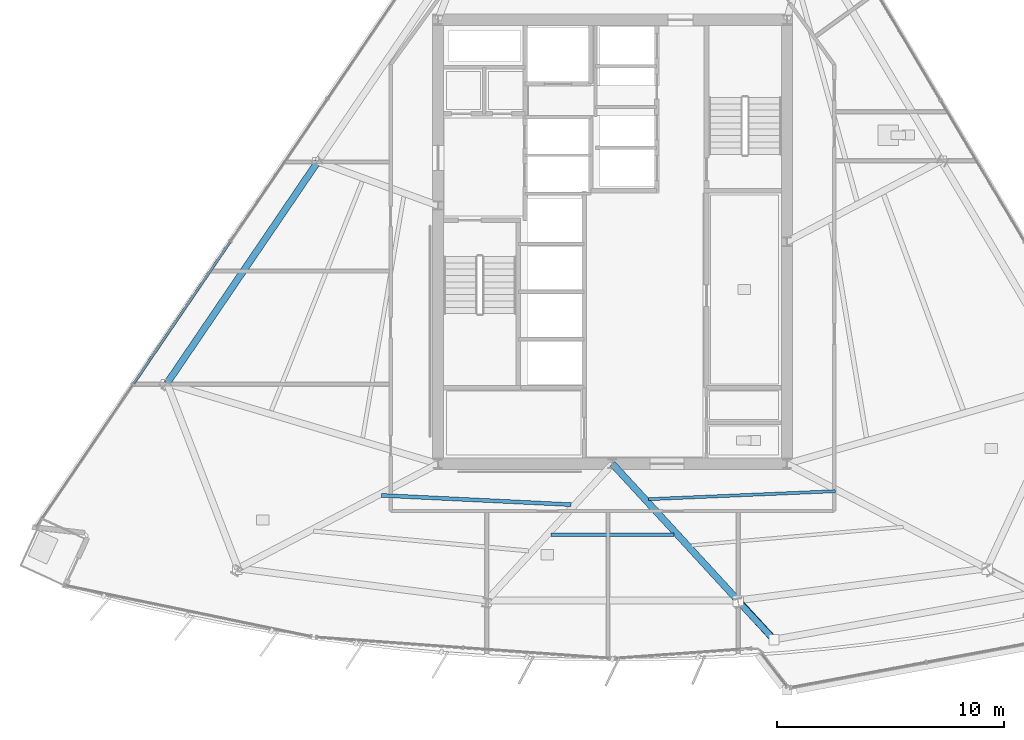
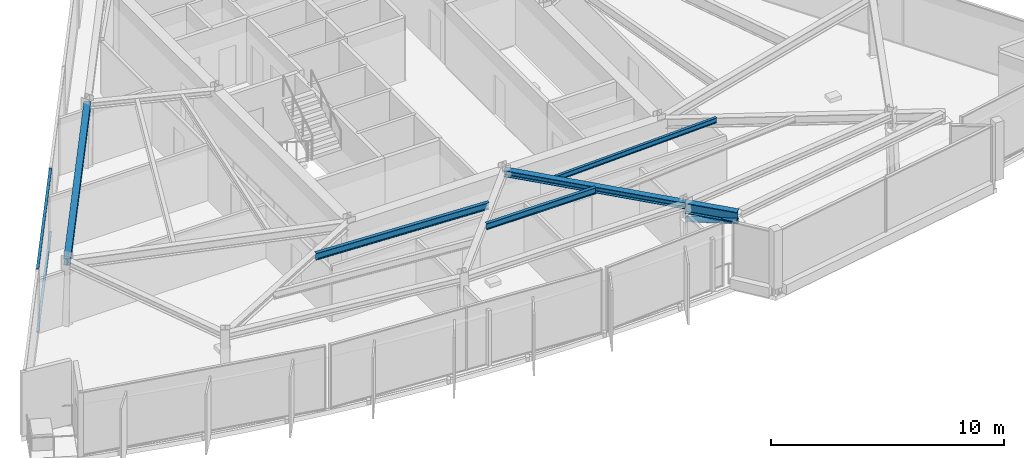
# One storey, part 3 of 13: 6 beams, 3 members, 1 element without a shape of its own.
"""IFC4 building model written with IfcOpenShell, lengths in metres."""

from ifc_helpers import new_model, si_unit, direction, frame, origin, origin_2d, place, context, subcontext, project, spatial, rectangle, hollow_circle, i_section, extrude, material, material_profile, profile_set, type_object, element, aggregate, save


model = new_model("IFC4")

# Units and contexts
model_context = context("Model", 3, precision=1e-05, world=origin(), true_north=direction((0.0, 1.0)))
body_context = subcontext(model_context, "Body", "Model", "MODEL_VIEW")
ifc_project = project(units=[si_unit("LENGTHUNIT", "METRE"), si_unit("AREAUNIT", "SQUARE_METRE"), si_unit("VOLUMEUNIT", "CUBIC_METRE"), si_unit("PLANEANGLEUNIT", "RADIAN"), si_unit("MASSUNIT", "GRAM", prefix="KILO")], contexts=[model_context])

# Site, building, storey
site_placement = place(None, origin())
site = spatial("IfcSite", under=ifc_project, at=site_placement, CompositionType="ELEMENT")
building_placement = place(site_placement, origin())
building = spatial("IfcBuilding", under=site, at=building_placement, Name="Savorim Split Tower", CompositionType="ELEMENT")
storey_placement = place(building_placement, frame((0.0, 0.0, 216.300048828125)))
storey = spatial("IfcBuildingStorey", under=building, at=storey_placement, Name="L57", CompositionType="ELEMENT", Elevation=216.300048828125)

# Beams
ifc_material_1 = material(Name="Steel S355", Category="steel")
ifc_material_profile_1 = material_profile(ifc_material_1, i_section(OverallWidth=0.135009765625, OverallDepth=0.27001953125, WebThickness=0.006591796875, FlangeThickness=0.01025390625, FilletRadius=0.014892578125, at=origin_2d()), Name="IPE 270")
ifc_profile_set_1 = profile_set([ifc_material_profile_1], Name="Steel S355")
beam_type_1 = type_object("IfcBeamType", Name="BM-JST-IPE270", PredefinedType="JOIST", material=ifc_profile_set_1)
beam_1_placement = place(storey_placement, frame((1.599609375, -10.959716796875, 3.21484375), z_axis=(0.999082189663, 0.042834312161, 0.0), x_axis=(-0.042834312161, 0.999082189663, 0.0)))
element("IfcBeam", 1, at=beam_1_placement, inside=storey, type_object=beam_type_1, Name="L57 Secondary Floor Joist JS-05", PredefinedType="JOIST", context=body_context, shape_type="SweptSolid", body=[
    extrude(i_section(OverallWidth=0.135009765625, OverallDepth=0.27001953125, WebThickness=0.006591796875, FlangeThickness=0.01025390625, FilletRadius=0.014892578125, at=origin_2d()), origin(), (0.0, 0.0, 1.0), 8.24169921875),
])
ifc_material_profile_2 = material_profile(ifc_material_1, i_section(OverallWidth=0.159912109375, OverallDepth=0.330078125, WebThickness=0.007568359375, FlangeThickness=0.011474609375, FilletRadius=0.01806640625, at=origin_2d()), Name="IPE 330")
ifc_profile_set_2 = profile_set([ifc_material_profile_2], Name="Steel S355")
beam_type_2 = type_object("IfcBeamType", Name="BM-JST-IPE330", PredefinedType="JOIST", material=ifc_profile_set_2)
beam_2_placement = place(storey_placement, frame((-2.719482421875, -12.532958984375, 3.18505859375), z_axis=(1.0, 0.0, 0.0), x_axis=(0.0, 1.0, 0.0)))
element("IfcBeam", 2, at=beam_2_placement, inside=storey, type_object=beam_type_2, Name="L57 Secondary Floor Joist JS-03", PredefinedType="JOIST", context=body_context, shape_type="SweptSolid", body=[
    extrude(i_section(OverallWidth=0.159912109375, OverallDepth=0.330078125, WebThickness=0.007568359375, FlangeThickness=0.011474609375, FilletRadius=0.01806640625, at=origin_2d()), origin(), (0.0, 0.0, 1.0), 5.43896484375),
])
ifc_material_profile_3 = material_profile(ifc_material_1, i_section(OverallWidth=0.169921875, OverallDepth=0.360107421875, WebThickness=0.008056640625, FlangeThickness=0.0126953125, FilletRadius=0.01806640625, at=origin_2d()), Name="IPE 360")
ifc_profile_set_3 = profile_set([ifc_material_profile_3], Name="Steel S355")
beam_type_3 = type_object("IfcBeamType", Name="BM-JST-IPE360", PredefinedType="JOIST", material=ifc_profile_set_3)
beam_3_placement = place(storey_placement, frame((-10.186767578125, -10.792236328125, 3.169921875), z_axis=(0.998815912057, -0.048649499715, 0.0), x_axis=(0.048649499715, 0.998815912057, 0.0)))
element("IfcBeam", 3, at=beam_3_placement, inside=storey, type_object=beam_type_3, Name="L57 Secondary Floor Joist JS-02", PredefinedType="JOIST", context=body_context, shape_type="SweptSolid", body=[
    extrude(i_section(OverallWidth=0.169921875, OverallDepth=0.360107421875, WebThickness=0.008056640625, FlangeThickness=0.0126953125, FilletRadius=0.01806640625, at=origin_2d()), origin(), (0.0, 0.0, 1.0), 8.375732421875),
])
ifc_material_profile_4 = material_profile(ifc_material_1, i_section(OverallWidth=0.300048828125, OverallDepth=0.320068359375, WebThickness=0.011474609375, FlangeThickness=0.0205078125, FilletRadius=0.027099609375, at=origin_2d()), Name="HEB 320")
ifc_profile_set_4 = profile_set([ifc_material_profile_4], Name="Steel S355")
beam_type_4 = type_object("IfcBeamType", Name="BM-PRI-HEB320", PredefinedType="BEAM", material=ifc_profile_set_4)
beam_4_placement = place(storey_placement, frame((5.537353515625, -15.425048828125, 3.18994140625), z_axis=(-0.676673814544, 0.736282927081, 0.0), x_axis=(-0.736282927081, -0.676673814544, 0.0)))
element("IfcBeam", 4, at=beam_4_placement, inside=storey, type_object=beam_type_4, Name="L57 Primary Floor Girder RG-03", PredefinedType="BEAM", context=body_context, shape_type="SweptSolid", body=[
    extrude(i_section(OverallWidth=0.300048828125, OverallDepth=0.320068359375, WebThickness=0.011474609375, FlangeThickness=0.0205078125, FilletRadius=0.027099609375, at=origin_2d()), origin(), (0.0, 0.0, 1.0), 8.18310546875),
])
ifc_material_profile_5 = material_profile(ifc_material_1, i_section(OverallWidth=0.300048828125, OverallDepth=0.550048828125, WebThickness=0.014892578125, FlangeThickness=0.029052734375, FilletRadius=0.027099609375, at=origin_2d()), Name="HEB 550")
ifc_profile_set_5 = profile_set([ifc_material_profile_5], Name="Steel S355")
beam_type_5 = type_object("IfcBeamType", Name="BM-PRI-HEB550", PredefinedType="BEAM", material=ifc_profile_set_5)
beam_5_placement = place(storey_placement, frame((5.537353515625, -15.425048828125, 3.074951171875), z_axis=(0.676716621966, -0.736243583032, 0.0), x_axis=(0.736243583032, 0.676716621966, 0.0)))
element("IfcBeam", 5, at=beam_5_placement, inside=storey, type_object=beam_type_5, Name="L57 Cantilevered Lounge Rib 1", PredefinedType="BEAM", context=body_context, shape_type="SweptSolid", body=[
    extrude(i_section(OverallWidth=0.300048828125, OverallDepth=0.550048828125, WebThickness=0.014892578125, FlangeThickness=0.029052734375, FilletRadius=0.027099609375, at=origin_2d()), origin(), (0.0, 0.0, 1.0), 2.35009765625),
])
ifc_material_profile_6 = material_profile(ifc_material_1, i_section(OverallWidth=0.300048828125, OverallDepth=0.35009765625, WebThickness=0.010009765625, FlangeThickness=0.017578125, FilletRadius=0.027099609375, at=origin_2d()), Name="HEA 360")
ifc_profile_set_6 = profile_set([ifc_material_profile_6], Name="Steel S355")
beam_type_6 = type_object("IfcBeamType", Name="BM-SPN-HEA360", PredefinedType="SPANDREL", material=ifc_profile_set_6)
beam_6_placement = place(storey_placement, frame((-13.000732421875, 3.93994140625, 3.175048828125), z_axis=(-0.562478152622, -0.826812147844, 0.0), x_axis=(0.826812147844, -0.562478152622, 0.0)))
element("IfcBeam", 6, at=beam_6_placement, inside=storey, type_object=beam_type_6, Name="L57 Perimeter Spandrel Beam 9", PredefinedType="SPANDREL", context=body_context, shape_type="SweptSolid", body=[
    extrude(i_section(OverallWidth=0.300048828125, OverallDepth=0.35009765625, WebThickness=0.010009765625, FlangeThickness=0.017578125, FilletRadius=0.027099609375, at=origin_2d()), origin(), (0.0, 0.0, 1.0), 11.835205078125),
])

# Curtain wall, members
ifc_material_2 = material(Name="Dark Ceramic-Fritted Insulated Glass", Category="glass")
curtain_wall_type = type_object("IfcCurtainWallType", Name="CW-TWR-FRIT-B", PredefinedType="NOTDEFINED", material=ifc_material_2)
curtain_wall_placement = place(storey_placement, origin())
curtain_wall = element("IfcCurtainWall", 7, at=curtain_wall_placement, inside=storey, type_object=curtain_wall_type, Name="L57 Curtain Wall CW-L57-WEST", PredefinedType="NOTDEFINED")
ifc_material_3 = material(Name="Charcoal Anodised Aluminium", Category="aluminium")
ifc_material_profile_7 = material_profile(ifc_material_3, rectangle(XDim=0.1201171875, YDim=0.050048828125, at=origin_2d()), Name="ALU-T 120x50")
ifc_profile_set_7 = profile_set([ifc_material_profile_7], Name="Charcoal Anodised Aluminium")
member_type_1 = type_object("IfcMemberType", Name="CWT-120x50", PredefinedType="USERDEFINED", material=ifc_profile_set_7)
member_1_placement = place(storey_placement, frame((-16.876708984375, 0.39453125, 0.02490234375), z_axis=(-0.562460105571, -0.826824424918, 0.0), x_axis=(0.826824424918, -0.562460105571, 0.0)))
member_1 = element("IfcMember", 8, at=member_1_placement, type_object=member_type_1, Name="CW-03 transom 3.1", ObjectType="TRANSOM", PredefinedType="USERDEFINED", context=body_context, shape_type="SweptSolid", body=[
    extrude(rectangle(XDim=0.1201171875, YDim=0.050048828125, at=origin_2d()), origin(), (0.0, 0.0, 1.0), 7.5634765625),
])
member_2_placement = place(storey_placement, frame((-16.876708984375, 0.39453125, 3.324951171875), z_axis=(-0.562460105571, -0.826824424918, 0.0), x_axis=(0.826824424918, -0.562460105571, 0.0)))
member_2 = element("IfcMember", 9, at=member_2_placement, type_object=member_type_1, Name="CW-03 transom 3.2", ObjectType="TRANSOM", PredefinedType="USERDEFINED", context=body_context, shape_type="SweptSolid", body=[
    extrude(rectangle(XDim=0.1201171875, YDim=0.050048828125, at=origin_2d()), origin(), (0.0, 0.0, 1.0), 7.5634765625),
])
aggregate(curtain_wall, [member_1, member_2])

# Member
ifc_material_profile_8 = material_profile(ifc_material_1, hollow_circle(Radius=0.136474609375, WallThickness=0.01611328125, at=origin_2d()), Name="CHS 273x16")
ifc_profile_set_8 = profile_set([ifc_material_profile_8], Name="Steel S355")
member_type_2 = type_object("IfcMemberType", Name="MBR-CRN-CHS273", PredefinedType="BRACE", material=ifc_profile_set_8)
member_3_placement = place(storey_placement, frame((5.54541015625, -15.465576171875, 2.449951171875), z_axis=(0.674950906642, -0.720773835036, 0.157880816922), x_axis=(0.729928470069, 0.683523539158, 0.0)))
element("IfcMember", 10, at=member_3_placement, inside=storey, type_object=member_type_2, Name="L57 Cantilevered Bay Support Strut 1", PredefinedType="BRACE", context=body_context, shape_type="SweptSolid", body=[
    extrude(hollow_circle(Radius=0.136474609375, WallThickness=0.01611328125, at=origin_2d()), origin(), (0.0, 0.0, 1.0), 2.34423828125),
])

save(model, "model.ifc")
